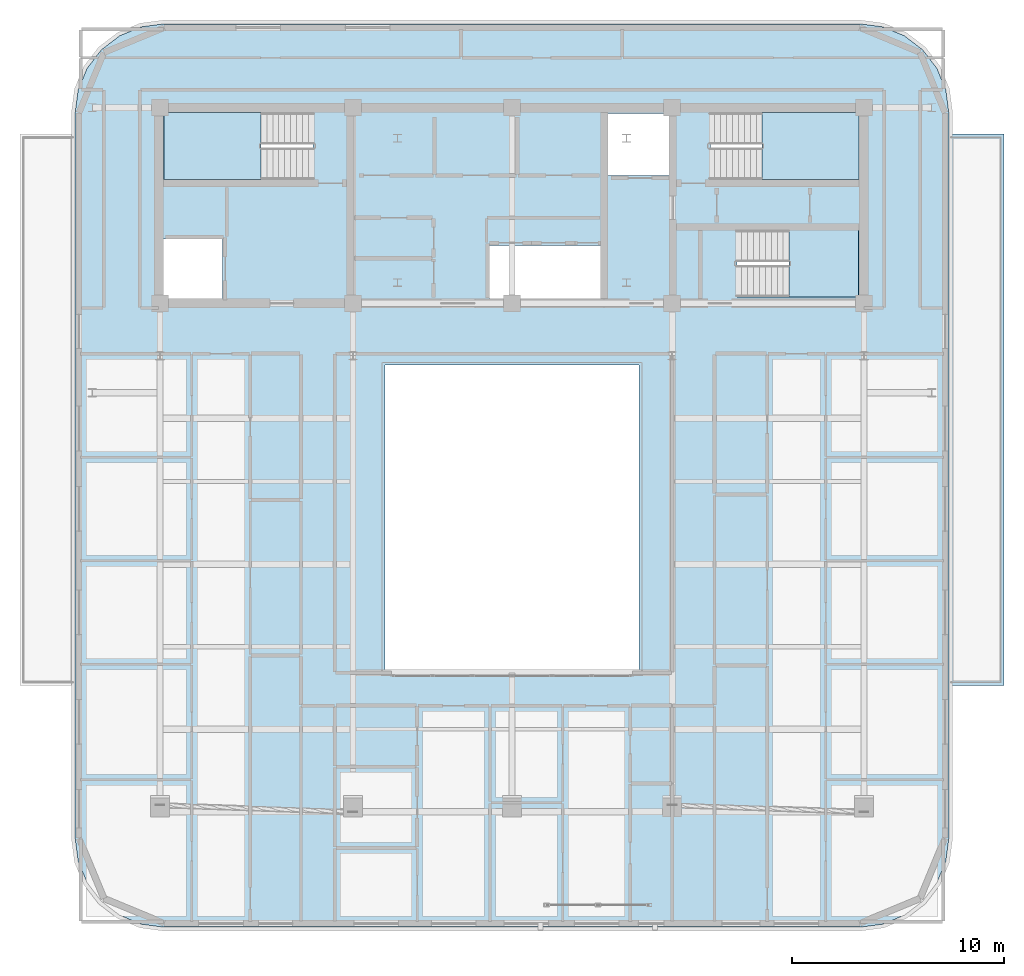
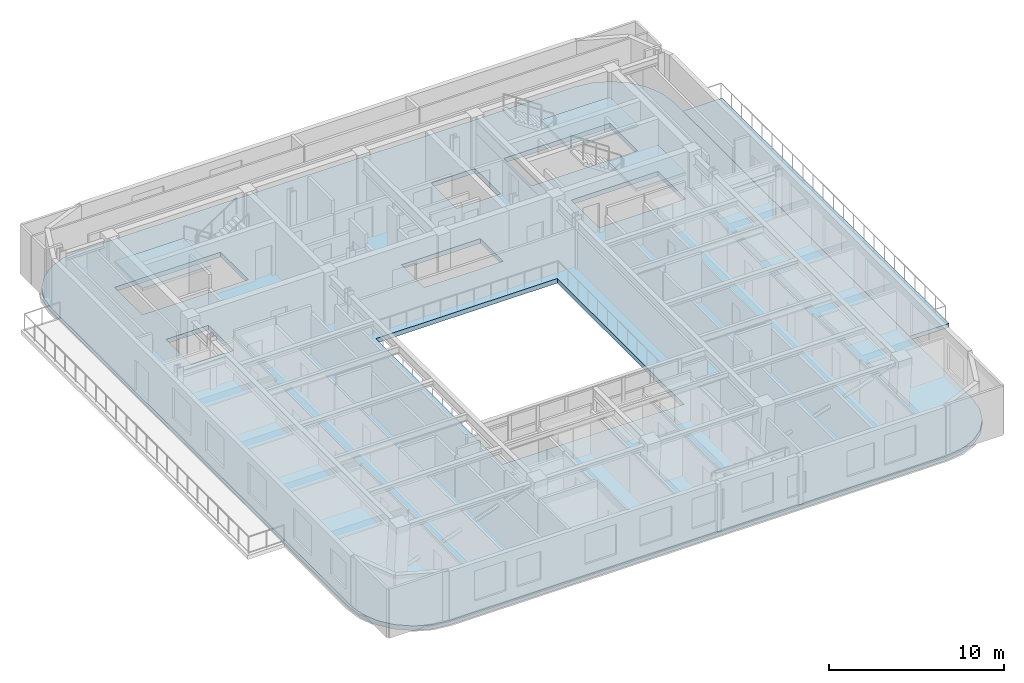
# One storey, part 4 of 14: 5 slabs, 3 elements without a shape of their own.
"""IFC4 building model written with IfcOpenShell, lengths in metres."""

import ifcopenshell
import ifcopenshell.guid

model = None  # the IFC model being written
_history = None  # IfcOwnerHistory: only IFC2X3 demands one
_inside = {}  # id of a spatial element -> (the spatial element, [elements in it])
_under = {}  # id of a project, library or spatial element -> (it, [spatial elements below it])
_declared = {}  # id of a project -> (the project, [libraries it declares])
_typed = {}  # id of a type object -> (the type object, [elements of that type])
_made_of = {}  # id of a material, layer set ... -> (it, [elements and type objects made of it])


def new_model(schema):
    """Start an empty IFC model of exactly this schema.

    Asked for "IFC4X3", IfcOpenShell would pick the latest addendum, in which some entities
    have other attributes; the version numbers below select the first issue.
    IFC2X3 requires an IfcOwnerHistory on every rooted entity: one is made here for all.
    """
    global model, _history
    if schema == "IFC4X3":
        model = ifcopenshell.file(schema_version=(4, 3, 0, 0))
    else:
        model = ifcopenshell.file(schema=schema)
    _inside.clear()
    _under.clear()
    _declared.clear()
    _typed.clear()
    _made_of.clear()
    _history = None
    if model.schema == "IFC2X3":
        org = make("IfcOrganization", Name="unknown")
        user = make(
            "IfcPersonAndOrganization",
            ThePerson=make("IfcPerson", FamilyName="unknown"),
            TheOrganization=org,
        )
        app = make(
            "IfcApplication",
            ApplicationDeveloper=org,
            Version="unknown",
            ApplicationFullName="unknown",
            ApplicationIdentifier="unknown",
        )
        _history = make(
            "IfcOwnerHistory",
            OwningUser=user,
            OwningApplication=app,
            ChangeAction="ADDED",
            CreationDate=0,
        )
    return model


def make(cls, **values):
    """One entity of the class cls with the attributes given. An attribute that is None is left unset."""
    return model.create_entity(
        cls, **{name: value for name, value in values.items() if value is not None}
    )


def rooted(cls, **values):
    """An entity with a GlobalId (a new one), such as an element, a storey or a relation."""
    return make(cls, GlobalId=ifcopenshell.guid.new(), OwnerHistory=_history, **values)


def si_unit(unit_type, name, prefix=None):
    """IfcSIUnit, for example si_unit("LENGTHUNIT", "METRE", prefix="MILLI")."""
    return make("IfcSIUnit", UnitType=unit_type, Prefix=prefix, Name=name)


def assignment(units):
    """IfcUnitAssignment: the units of a project."""
    return None if units is None else make("IfcUnitAssignment", Units=units)


def point(xyz):
    """IfcCartesianPoint."""
    return None if xyz is None else make("IfcCartesianPoint", Coordinates=xyz)


def direction(xyz):
    """IfcDirection."""
    return None if xyz is None else make("IfcDirection", DirectionRatios=xyz)


def frame(location, z_axis=None, x_axis=None):
    """IfcAxis2Placement3D, a coordinate frame: its origin and axes. An axis left out is left unset."""
    return make(
        "IfcAxis2Placement3D",
        Location=point(location),
        Axis=direction(z_axis),
        RefDirection=direction(x_axis),
    )


def origin():
    """The frame at (0, 0, 0) with its axes left unset."""
    return frame((0.0, 0.0, 0.0))


def place(relative_to, where):
    """IfcLocalPlacement: puts the frame where relative to a parent placement (None: the world)."""
    return make(
        "IfcLocalPlacement", PlacementRelTo=relative_to, RelativePlacement=where
    )


def context(
    kind, dimensions, precision=None, world=None, true_north=None, identifier=None
):
    """IfcGeometricRepresentationContext, for example the 3D "Model" context."""
    return make(
        "IfcGeometricRepresentationContext",
        ContextIdentifier=identifier,
        ContextType=kind,
        CoordinateSpaceDimension=dimensions,
        Precision=precision,
        WorldCoordinateSystem=world,
        TrueNorth=true_north,
    )


def subcontext(parent, identifier, kind, view, scale=None):
    """IfcGeometricRepresentationSubContext, for example "Body" below "Model"."""
    return make(
        "IfcGeometricRepresentationSubContext",
        ContextIdentifier=identifier,
        ContextType=kind,
        ParentContext=parent,
        TargetScale=scale,
        TargetView=view,
    )


def project(units=None, contexts=None):
    """IfcProject with its units and contexts."""
    return rooted(
        "IfcProject",
        Name="project",
        RepresentationContexts=contexts,
        UnitsInContext=assignment(units),
    )


def spatial(cls, under=None, at=None, **own):
    """A site, building, storey or space (cls), placed at a placement, below another one or the project."""
    s = rooted(cls, ObjectPlacement=at, **own)
    if under is not None:
        _under.setdefault(under.id(), (under, []))[1].append(s)
    return s


def polyline(points):
    """IfcPolyline through the points."""
    return make("IfcPolyline", Points=[point(p) for p in points])


def outline(outer, holes=None, kind="AREA"):
    """IfcArbitraryClosedProfileDef: a profile drawn as a closed curve; with holes, ...WithVoids."""
    if holes is None:
        return make("IfcArbitraryClosedProfileDef", ProfileType=kind, OuterCurve=outer)
    return make(
        "IfcArbitraryProfileDefWithVoids",
        ProfileType=kind,
        OuterCurve=outer,
        InnerCurves=holes,
    )


def extrude(swept, where, along, depth):
    """IfcExtrudedAreaSolid: the profile swept, set in the frame where, extruded along a direction by depth."""
    return make(
        "IfcExtrudedAreaSolid",
        SweptArea=swept,
        Position=where,
        ExtrudedDirection=direction(along),
        Depth=depth,
    )


def shape(context_of_items, identifier, shape_type, items):
    """IfcShapeRepresentation: the items that make up one representation, for example the "Body"."""
    return make(
        "IfcShapeRepresentation",
        ContextOfItems=context_of_items,
        RepresentationIdentifier=identifier,
        RepresentationType=shape_type,
        Items=items,
    )


def material(Name=None, Category=None):
    """IfcMaterial."""
    return make("IfcMaterial", Name=Name, Category=Category)


def layer(
    of_material, thickness, ventilated=None, Name=None, Category=None, Priority=None
):
    """IfcMaterialLayer: one layer of a wall or slab, of a material (None: an air gap)."""
    return make(
        "IfcMaterialLayer",
        Material=of_material,
        LayerThickness=thickness,
        IsVentilated=ventilated,
        Name=Name,
        Category=Category,
        Priority=Priority,
    )


def layer_set(layers, Name=None):
    """IfcMaterialLayerSet."""
    return make("IfcMaterialLayerSet", MaterialLayers=layers, LayerSetName=Name)


def made_of(thing, what):
    """Note that an element or type object is made of a material, layer set ...; save() writes the relation."""
    if what is not None:
        _made_of.setdefault(what.id(), (what, []))[1].append(thing)
    return thing


def type_object(cls, material=None, **own):
    """A type object (cls), such as IfcWallType, which elements share."""
    return made_of(rooted(cls, **own), material)


def element(
    cls,
    number,
    at=None,
    inside=None,
    cuts=None,
    type_object=None,
    material=None,
    context=None,
    identifier="Body",
    shape_type=None,
    held_by="IfcProductDefinitionShape",
    body=None,
    shapes=None,
    **own,
):
    """One element of the class cls, such as IfcWall. Its Tag is "e" and its number.

    at: its placement. inside: the storey or other place that contains it. cuts: it is an
    opening in that element (IfcRelVoidsElement). A single representation is given by context,
    identifier, shape_type and body (its items); several are given by shapes. held_by: the class
    of the entity that holds the representations. save() writes the other relations.
    """
    e = rooted(cls, Tag="e%d" % number, ObjectPlacement=at, **own)
    if body is not None:
        shapes = [shape(context, identifier, shape_type, body)]
    if shapes is not None:
        e.Representation = make(held_by, Representations=shapes)
    if inside is not None:
        _inside.setdefault(inside.id(), (inside, []))[1].append(e)
    if cuts is not None:
        rooted(
            "IfcRelVoidsElement", RelatingBuildingElement=cuts, RelatedOpeningElement=e
        )
    if type_object is not None:
        _typed.setdefault(type_object.id(), (type_object, []))[1].append(e)
    return made_of(e, material)


def aggregate(whole, parts):
    """IfcRelAggregates: a whole, such as a stair, and the parts it consists of."""
    return rooted("IfcRelAggregates", RelatingObject=whole, RelatedObjects=parts)


def save(model, path):
    """Write the relations noted so far, then the file.

    IfcRelAggregates (storeys below a building ...), IfcRelContainedInSpatialStructure (elements
    in a storey), IfcRelDefinesByType, IfcRelAssociatesMaterial and IfcRelDeclares: one each for
    every whole, place, type object, material and project.
    """
    for whole, parts in _under.values():
        aggregate(whole, parts)
    for where, things in _inside.values():
        rooted(
            "IfcRelContainedInSpatialStructure",
            RelatedElements=things,
            RelatingStructure=where,
        )
    for kind, things in _typed.values():
        rooted("IfcRelDefinesByType", RelatedObjects=things, RelatingType=kind)
    for what, things in _made_of.values():
        rooted("IfcRelAssociatesMaterial", RelatedObjects=things, RelatingMaterial=what)
    for by, libraries in _declared.values():
        rooted("IfcRelDeclares", RelatingContext=by, RelatedDefinitions=libraries)
    model.write(path)


model = new_model("IFC4")

# Units and contexts
model_context = context("Model", 3, precision=1e-05, world=origin(), true_north=direction((0.0, 1.0)))
body_context = subcontext(model_context, "Body", "Model", "MODEL_VIEW")
ifc_project = project(units=[si_unit("LENGTHUNIT", "METRE"), si_unit("AREAUNIT", "SQUARE_METRE"), si_unit("VOLUMEUNIT", "CUBIC_METRE"), si_unit("PLANEANGLEUNIT", "RADIAN"), si_unit("MASSUNIT", "GRAM", prefix="KILO")], contexts=[model_context])

# Site, building, storey
site_placement = place(None, origin())
site = spatial("IfcSite", under=ifc_project, at=site_placement, CompositionType="ELEMENT")
building_placement = place(site_placement, origin())
building = spatial("IfcBuilding", under=site, at=building_placement, Name="Zarnavel Station Tower", CompositionType="ELEMENT")
storey_placement = place(building_placement, frame((0.0, 0.0, 243.60009765625)))
storey = spatial("IfcBuildingStorey", under=building, at=storey_placement, Name="L66", CompositionType="ELEMENT", Elevation=243.60009765625)

# Slab
ifc_material_1 = material(Name="Concrete C45/55", Category="concrete")
ifc_layer_1 = layer(ifc_material_1, 0.320068359375)
ifc_layer_set_1 = layer_set([ifc_layer_1], Name="SL_FLR_320")
slab_type_1 = type_object("IfcSlabType", Name="SL_FLR_320", PredefinedType="FLOOR", material=ifc_layer_set_1)
slab_1_placement = place(storey_placement, frame((0.0, 0.0, -0.320068359375)))
element("IfcSlab", 1, at=slab_1_placement, inside=storey, type_object=slab_type_1, Name="L66 Structural Floor Slab", PredefinedType="FLOOR", context=body_context, shape_type="SweptSolid", body=[
    extrude(outline(polyline([(45.199951171875, -1.60009765625), (46.287109375, -1.456787109375), (47.300048828125, -1.037353515625), (48.169921875, -0.369873046875), (48.83740234375, 0.5), (49.2568359375, 1.512939453125), (49.39990234375, 2.60009765625), (49.39990234375, 36.800048828125), (49.2568359375, 37.886962890625), (48.83740234375, 38.89990234375), (48.169921875, 39.769775390625), (47.300048828125, 40.437255859375), (46.287109375, 40.85693359375), (45.199951171875, 41.0), (12.39990234375, 41.0), (11.31298828125, 40.85693359375), (10.300048828125, 40.437255859375), (9.43017578125, 39.769775390625), (8.7626953125, 38.89990234375), (8.343017578125, 37.886962890625), (8.199951171875, 36.800048828125), (8.199951171875, 2.60009765625), (8.343017578125, 1.512939453125), (8.7626953125, 0.5), (9.43017578125, -0.369873046875), (10.300048828125, -1.037353515625), (11.31298828125, -1.456787109375), (12.39990234375, -1.60009765625), (45.199951171875, -1.60009765625)]), holes=[polyline([(12.39990234375, 33.659912109375), (19.409912109375, 33.659912109375), (19.409912109375, 36.820068359375), (12.39990234375, 36.820068359375), (12.39990234375, 33.659912109375)]), polyline([(38.14990234375, 33.659912109375), (45.159912109375, 33.659912109375), (45.159912109375, 36.820068359375), (38.14990234375, 36.820068359375), (38.14990234375, 33.659912109375)]), polyline([(39.419921875, 28.1201171875), (45.14990234375, 28.1201171875), (45.14990234375, 31.280029296875), (39.419921875, 31.280029296875), (39.419921875, 28.1201171875)]), polyline([(12.35009765625, 27.949951171875), (15.14990234375, 27.949951171875), (15.14990234375, 30.85009765625), (12.35009765625, 30.85009765625), (12.35009765625, 27.949951171875)]), polyline([(33.320068359375, 33.85009765625), (36.2099609375, 33.85009765625), (36.2099609375, 36.780029296875), (33.320068359375, 36.780029296875), (33.320068359375, 33.85009765625)]), polyline([(27.75, 27.949951171875), (32.97998046875, 27.949951171875), (32.97998046875, 30.550048828125), (27.75, 30.550048828125), (27.75, 27.949951171875)]), polyline([(22.800048828125, 10.39990234375), (34.800048828125, 10.39990234375), (34.800048828125, 24.89990234375), (22.800048828125, 24.89990234375), (22.800048828125, 10.39990234375)])]), origin(), (0.0, 0.0, 1.0), 0.320068359375),
])

# Stair, slab
ifc_material_2 = material(Name="Concrete C45/55", Category="concrete")
stair_type = type_object("IfcStairType", Name="ST_CORE_150", PredefinedType="HALF_TURN_STAIR", material=ifc_material_2)
stair_1_placement = place(storey_placement, origin())
stair_1 = element("IfcStair", 2, at=stair_1_placement, inside=storey, type_object=stair_type, Name="L66 Core Exit Stair ST1", PredefinedType="HALF_TURN_STAIR")
ifc_material_3 = material(Name="Concrete C45/55", Category="concrete")
ifc_layer_2 = layer(ifc_material_3, 0.199951171875)
ifc_layer_set_2 = layer_set([ifc_layer_2], Name="SL_STAIR_LAND_200")
slab_type_2 = type_object("IfcSlabType", Name="SL_STAIR_LAND_200", PredefinedType="LANDING", material=ifc_layer_set_2)
slab_2_placement = place(storey_placement, frame((0.0, 0.0, 1.64990234375)))
slab_2 = element("IfcSlab", 3, at=slab_2_placement, type_object=slab_type_2, Name="ST1 landing 1", PredefinedType="LANDING", context=body_context, shape_type="SweptSolid", body=[
    extrude(outline(polyline([(16.9599609375, 36.820068359375), (12.39990234375, 36.820068359375), (12.39990234375, 33.659912109375), (16.9599609375, 33.659912109375), (16.9599609375, 36.820068359375)])), origin(), (0.0, 0.0, 1.0), 0.199951171875),
])
aggregate(stair_1, [slab_2])

stair_2_placement = place(storey_placement, origin())
stair_2 = element("IfcStair", 4, at=stair_2_placement, inside=storey, type_object=stair_type, Name="L66 Core Exit Stair ST2", PredefinedType="HALF_TURN_STAIR")
slab_3_placement = place(storey_placement, frame((0.0, 0.0, 1.64990234375)))
slab_3 = element("IfcSlab", 5, at=slab_3_placement, type_object=slab_type_2, Name="ST2 landing 1", PredefinedType="LANDING", context=body_context, shape_type="SweptSolid", body=[
    extrude(outline(polyline([(40.60009765625, 33.659912109375), (45.159912109375, 33.659912109375), (45.159912109375, 36.820068359375), (40.60009765625, 36.820068359375), (40.60009765625, 33.659912109375)])), origin(), (0.0, 0.0, 1.0), 0.199951171875),
])
aggregate(stair_2, [slab_3])

stair_3_placement = place(storey_placement, origin())
stair_3 = element("IfcStair", 6, at=stair_3_placement, inside=storey, type_object=stair_type, Name="L66 Core Exit Stair ST3", PredefinedType="HALF_TURN_STAIR")
slab_4_placement = place(storey_placement, frame((0.0, 0.0, 1.64990234375)))
slab_4 = element("IfcSlab", 7, at=slab_4_placement, type_object=slab_type_2, Name="ST3 landing 1", PredefinedType="LANDING", context=body_context, shape_type="SweptSolid", body=[
    extrude(outline(polyline([(41.8701171875, 28.1201171875), (45.14990234375, 28.1201171875), (45.14990234375, 31.280029296875), (41.8701171875, 31.280029296875), (41.8701171875, 28.1201171875)])), origin(), (0.0, 0.0, 1.0), 0.199951171875),
])
aggregate(stair_3, [slab_4])

# Slab
ifc_material_4 = material(Name="Concrete C45/55", Category="concrete")
ifc_layer_3 = layer(ifc_material_4, 0.280029296875)
ifc_layer_set_3 = layer_set([ifc_layer_3], Name="SL_TER_280")
slab_type_3 = type_object("IfcSlabType", Name="SL_TER_280", PredefinedType="FLOOR", material=ifc_layer_set_3)
slab_5_placement = place(storey_placement, frame((0.0, 0.0, -0.280029296875)))
element("IfcSlab", 8, at=slab_5_placement, inside=storey, type_object=slab_type_3, Name="L66 Outdoor Setback Terrace Slab TER-L66-E", PredefinedType="FLOOR", context=body_context, shape_type="SweptSolid", body=[
    extrude(outline(polyline([(49.39990234375, 9.800048828125), (52.0, 9.800048828125), (52.0, 35.800048828125), (49.39990234375, 35.800048828125), (49.39990234375, 9.800048828125)])), origin(), (0.0, 0.0, 1.0), 0.280029296875),
])

save(model, "model.ifc")
